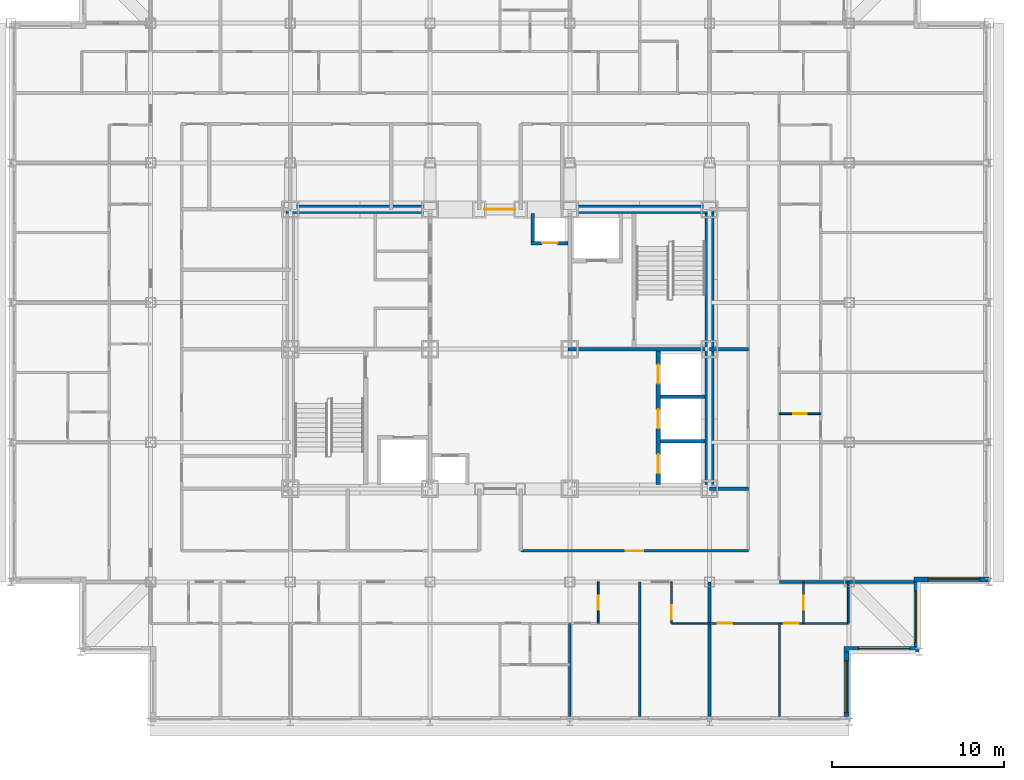
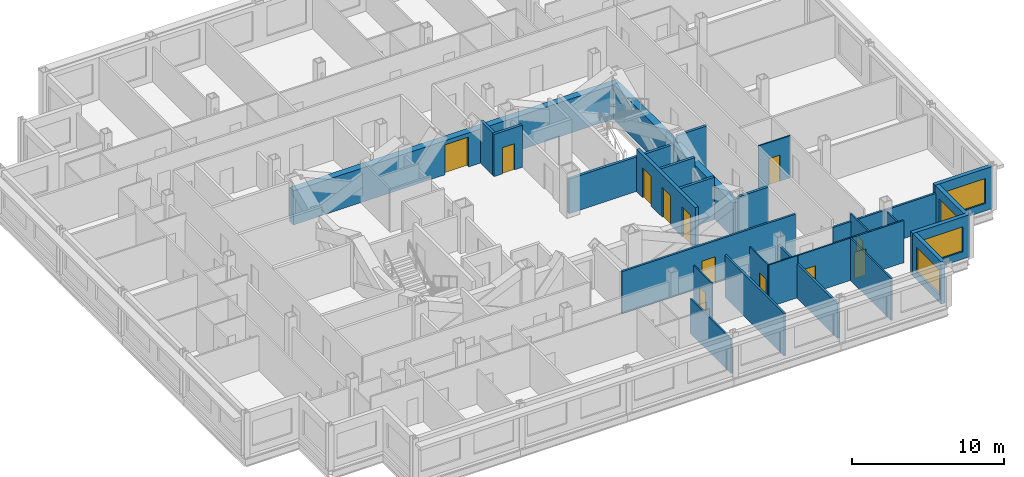
# One storey, part 7 of 12: 27 walls, 12 doors, 4 windows, 16 openings.
"""IFC4 building model written with IfcOpenShell, lengths in metres."""

from ifc_helpers import new_model, si_unit, direction, frame, frame_2d, origin, place, context, subcontext, project, spatial, rectangle, extrude, material, layer, layer_set, type_object, element, fill, save


model = new_model("IFC4")

# Units and contexts
model_context = context("Model", 3, precision=1e-05, world=origin(), true_north=direction((0.0, 1.0)))
body_context = subcontext(model_context, "Body", "Model", "MODEL_VIEW")
ifc_project = project(units=[si_unit("LENGTHUNIT", "METRE"), si_unit("AREAUNIT", "SQUARE_METRE"), si_unit("VOLUMEUNIT", "CUBIC_METRE"), si_unit("PLANEANGLEUNIT", "RADIAN"), si_unit("MASSUNIT", "GRAM", prefix="KILO")], contexts=[model_context])

# Site, building, storey
site_placement = place(None, origin())
site = spatial("IfcSite", under=ifc_project, at=site_placement, CompositionType="ELEMENT")
building_placement = place(site_placement, origin())
building = spatial("IfcBuilding", under=site, at=building_placement, Name="Kopane Lantern Tower", CompositionType="ELEMENT")
storey_placement = place(building_placement, frame((0.0, 0.0, 202.800048828125)))
storey = spatial("IfcBuildingStorey", under=building, at=storey_placement, Name="L52", CompositionType="ELEMENT", Elevation=202.800048828125)

# Wall
ifc_material_1 = material(Name="Gypsum board on steel studs", Category="steel")
ifc_layer_1 = layer(ifc_material_1, 0.1201171875)
ifc_layer_set_1 = layer_set([ifc_layer_1], Name="APARTMENT INTERNAL WALL 120")
wall_type_1 = type_object("IfcWallType", Name="APARTMENT INTERNAL WALL 120", PredefinedType="PARTITIONING", material=ifc_layer_set_1)
wall_1_placement = place(storey_placement, frame((32.39990234375, 16.5, 0.0), z_axis=(0.0, 0.0, 1.0), x_axis=(0.0, -1.0, 0.0)))
element("IfcWall", 1, at=wall_1_placement, inside=storey, type_object=wall_type_1, Name="Apartment Internal Wall 120 L52", PredefinedType="PARTITIONING", context=body_context, shape_type="SweptSolid", body=[
    extrude(rectangle(XDim=5.39990234375, YDim=0.1201171875, at=frame_2d((2.699951171875, 0.0))), origin(), (0.0, 0.0, 1.0), 2.77783203125),
])

# Wall, openings, doors
wall_2_placement = place(storey_placement, frame((40.5, 16.5, 0.0), z_axis=(0.0, 0.0, 1.0), x_axis=(1.0, 0.0, 0.0)))
wall_2 = element("IfcWall", 2, at=wall_2_placement, inside=storey, type_object=wall_type_1, Name="Apartment Internal Wall 120 L52", PredefinedType="PARTITIONING", context=body_context, shape_type="SweptSolid", body=[
    extrude(rectangle(XDim=8.050048828125, YDim=0.1201171875, at=frame_2d((4.02490234375, 0.0))), origin(), (0.0, 0.0, 1.0), 3.389892578125),
])
opening_1_placement = place(wall_2_placement, frame((0.47509765625, 0.0, 0.0)))
opening_1 = element("IfcOpeningElement", 3, at=opening_1_placement, cuts=wall_2, Name="Opening L52-067", PredefinedType="OPENING", context=body_context, shape_type="SweptSolid", body=[
    extrude(rectangle(XDim=0.85009765625, YDim=2.10009765625, at=frame_2d((0.425048828125, 1.050048828125))), frame((0.0, 0.070068359375, 0.0), z_axis=(0.0, -1.0, 0.0), x_axis=(1.0, 0.0, 0.0)), (0.0, 0.0, 1.0), 0.14013671875),
])
opening_2_placement = place(wall_2_placement, frame((4.324951171875, 0.0, 0.0)))
opening_2 = element("IfcOpeningElement", 4, at=opening_2_placement, cuts=wall_2, Name="Opening L52-069", PredefinedType="OPENING", context=body_context, shape_type="SweptSolid", body=[
    extrude(rectangle(XDim=0.85009765625, YDim=2.10009765625, at=frame_2d((0.425048828125, 1.050048828125))), frame((0.0, 0.070068359375, 0.0), z_axis=(0.0, -1.0, 0.0), x_axis=(1.0, 0.0, 0.0)), (0.0, 0.0, 1.0), 0.14013671875),
])
ifc_material_2 = material(Name="Timber door set", Category="wood")
door_type_1 = type_object("IfcDoorType", Name="DOOR D4 850x2100", OperationType="SINGLE_SWING_LEFT", PredefinedType="DOOR", material=ifc_material_2)
door_1_placement = place(opening_1_placement, origin())
door_1 = element("IfcDoor", 5, at=door_1_placement, inside=storey, type_object=door_type_1, Name="Door L52-067", OperationType="SINGLE_SWING_LEFT", OverallHeight=2.10009765625, OverallWidth=0.85009765625, PredefinedType="DOOR", context=body_context, shape_type="SweptSolid", body=[
    extrude(rectangle(XDim=0.85009765625, YDim=2.10009765625, at=frame_2d((0.425048828125, 1.050048828125))), frame((0.0, 0.02490234375, 0.0), z_axis=(0.0, -1.0, 0.0), x_axis=(1.0, 0.0, 0.0)), (0.0, 0.0, 1.0), 0.050048828125),
])
fill(opening_1, door_1)
door_2_placement = place(opening_2_placement, origin())
door_2 = element("IfcDoor", 6, at=door_2_placement, inside=storey, type_object=door_type_1, Name="Door L52-069", OperationType="SINGLE_SWING_RIGHT", OverallHeight=2.10009765625, OverallWidth=0.85009765625, PredefinedType="DOOR", context=body_context, shape_type="SweptSolid", body=[
    extrude(rectangle(XDim=0.85009765625, YDim=2.10009765625, at=frame_2d((0.425048828125, 1.050048828125))), frame((0.0, 0.02490234375, 0.0), z_axis=(0.0, -1.0, 0.0), x_axis=(1.0, 0.0, 0.0)), (0.0, 0.0, 1.0), 0.050048828125),
])
fill(opening_2, door_2)

# Wall
wall_3_placement = place(storey_placement, frame((44.550048828125, 16.5, 0.0), z_axis=(0.0, 0.0, 1.0), x_axis=(0.0, -1.0, 0.0)))
element("IfcWall", 7, at=wall_3_placement, inside=storey, type_object=wall_type_1, Name="Apartment Internal Wall 120 L52", PredefinedType="PARTITIONING", context=body_context, shape_type="SweptSolid", body=[
    extrude(rectangle(XDim=5.39990234375, YDim=0.1201171875, at=frame_2d((2.699951171875, 0.0))), origin(), (0.0, 0.0, 1.0), 3.389892578125),
])

# Wall, opening, door
ifc_material_3 = material(Name="Moisture-resistant board on steel studs", Category="steel")
ifc_layer_2 = layer(ifc_material_3, 0.10009765625)
ifc_layer_set_2 = layer_set([ifc_layer_2], Name="BATHROOM WALL 100")
wall_type_2 = type_object("IfcWallType", Name="BATHROOM WALL 100", PredefinedType="PARTITIONING", material=ifc_layer_set_2)
wall_4_placement = place(storey_placement, frame((34.050048828125, 18.89990234375, 0.0), z_axis=(0.0, 0.0, 1.0), x_axis=(0.0, -1.0, 0.0)))
wall_4 = element("IfcWall", 8, at=wall_4_placement, inside=storey, type_object=wall_type_2, Name="Bathroom Wall 100 L52", PredefinedType="PARTITIONING", context=body_context, shape_type="SweptSolid", body=[
    extrude(rectangle(XDim=2.39990234375, YDim=0.10009765625, at=frame_2d((1.199951171875, 0.0))), origin(), (0.0, 0.0, 1.0), 3.389892578125),
])
opening_3_placement = place(wall_4_placement, frame((0.800048828125, 0.0, 0.0)))
opening_3 = element("IfcOpeningElement", 9, at=opening_3_placement, cuts=wall_4, Name="Opening L52-021", PredefinedType="OPENING", context=body_context, shape_type="SweptSolid", body=[
    extrude(rectangle(XDim=0.800048828125, YDim=2.10009765625, at=frame_2d((0.39990234375, 1.050048828125))), frame((0.0, 0.06005859375, 0.0), z_axis=(0.0, -1.0, 0.0), x_axis=(1.0, 0.0, 0.0)), (0.0, 0.0, 1.0), 0.1201171875),
])
ifc_material_4 = material(Name="Timber door set", Category="wood")
door_type_2 = type_object("IfcDoorType", Name="DOOR D2 800x2100", OperationType="SINGLE_SWING_LEFT", PredefinedType="DOOR", material=ifc_material_4)
door_3_placement = place(opening_3_placement, origin())
door_3 = element("IfcDoor", 10, at=door_3_placement, inside=storey, type_object=door_type_2, Name="Door L52-021", OperationType="SINGLE_SWING_LEFT", OverallHeight=2.10009765625, OverallWidth=0.800048828125, PredefinedType="DOOR", context=body_context, shape_type="SweptSolid", body=[
    extrude(rectangle(XDim=0.800048828125, YDim=2.10009765625, at=frame_2d((0.39990234375, 1.050048828125))), frame((0.0, 0.02490234375, 0.0), z_axis=(0.0, -1.0, 0.0), x_axis=(1.0, 0.0, 0.0)), (0.0, 0.0, 1.0), 0.050048828125),
])
fill(opening_3, door_3)

# Wall
wall_5_placement = place(storey_placement, frame((38.300048828125, 16.5, 0.0), z_axis=(0.0, 0.0, 1.0), x_axis=(1.0, 0.0, 0.0)))
element("IfcWall", 11, at=wall_5_placement, inside=storey, type_object=wall_type_2, Name="Bathroom Wall 100 L52", PredefinedType="PARTITIONING", context=body_context, shape_type="SweptSolid", body=[
    extrude(rectangle(XDim=2.199951171875, YDim=0.10009765625, at=frame_2d((1.10009765625, 0.0))), origin(), (0.0, 0.0, 1.0), 3.389892578125),
])

# Wall, opening, door
wall_6_placement = place(storey_placement, frame((38.300048828125, 18.89990234375, 0.0), z_axis=(0.0, 0.0, 1.0), x_axis=(0.0, -1.0, 0.0)))
wall_6 = element("IfcWall", 12, at=wall_6_placement, inside=storey, type_object=wall_type_2, Name="Bathroom Wall 100 L52", PredefinedType="PARTITIONING", context=body_context, shape_type="SweptSolid", body=[
    extrude(rectangle(XDim=2.39990234375, YDim=0.10009765625, at=frame_2d((1.199951171875, 0.0))), origin(), (0.0, 0.0, 1.0), 3.389892578125),
])
opening_4_placement = place(wall_6_placement, frame((1.35009765625, 0.0, 0.0)))
opening_4 = element("IfcOpeningElement", 13, at=opening_4_placement, cuts=wall_6, Name="Opening L52-027", PredefinedType="OPENING", context=body_context, shape_type="SweptSolid", body=[
    extrude(rectangle(XDim=0.800048828125, YDim=2.10009765625, at=frame_2d((0.39990234375, 1.050048828125))), frame((0.0, 0.06005859375, 0.0), z_axis=(0.0, -1.0, 0.0), x_axis=(1.0, 0.0, 0.0)), (0.0, 0.0, 1.0), 0.1201171875),
])
door_4_placement = place(opening_4_placement, origin())
door_4 = element("IfcDoor", 14, at=door_4_placement, inside=storey, type_object=door_type_2, Name="Door L52-027", OperationType="SINGLE_SWING_RIGHT", OverallHeight=2.10009765625, OverallWidth=0.800048828125, PredefinedType="DOOR", context=body_context, shape_type="SweptSolid", body=[
    extrude(rectangle(XDim=0.800048828125, YDim=2.10009765625, at=frame_2d((0.39990234375, 1.050048828125))), frame((0.0, 0.02490234375, 0.0), z_axis=(0.0, -1.0, 0.0), x_axis=(1.0, 0.0, 0.0)), (0.0, 0.0, 1.0), 0.050048828125),
])
fill(opening_4, door_4)

wall_7_placement = place(storey_placement, frame((44.550048828125, 28.64990234375, 0.0), z_axis=(0.0, 0.0, 1.0), x_axis=(1.0, 0.0, 0.0)))
wall_7 = element("IfcWall", 15, at=wall_7_placement, inside=storey, type_object=wall_type_2, Name="Bathroom Wall 100 L52", PredefinedType="PARTITIONING", context=body_context, shape_type="SweptSolid", body=[
    extrude(rectangle(XDim=2.39990234375, YDim=0.10009765625, at=frame_2d((1.199951171875, 0.0))), origin(), (0.0, 0.0, 1.0), 3.389892578125),
])
opening_5_placement = place(wall_7_placement, frame((0.800048828125, 0.0, 0.0)))
opening_5 = element("IfcOpeningElement", 16, at=opening_5_placement, cuts=wall_7, Name="Opening L52-053", PredefinedType="OPENING", context=body_context, shape_type="SweptSolid", body=[
    extrude(rectangle(XDim=0.800048828125, YDim=2.10009765625, at=frame_2d((0.39990234375, 1.050048828125))), frame((0.0, 0.06005859375, 0.0), z_axis=(0.0, -1.0, 0.0), x_axis=(1.0, 0.0, 0.0)), (0.0, 0.0, 1.0), 0.1201171875),
])
door_5_placement = place(opening_5_placement, origin())
door_5 = element("IfcDoor", 17, at=door_5_placement, inside=storey, type_object=door_type_2, Name="Door L52-053", OperationType="SINGLE_SWING_LEFT", OverallHeight=2.10009765625, OverallWidth=0.800048828125, PredefinedType="DOOR", context=body_context, shape_type="SweptSolid", body=[
    extrude(rectangle(XDim=0.800048828125, YDim=2.10009765625, at=frame_2d((0.39990234375, 1.050048828125))), frame((0.0, 0.02490234375, 0.0), z_axis=(0.0, -1.0, 0.0), x_axis=(1.0, 0.0, 0.0)), (0.0, 0.0, 1.0), 0.050048828125),
])
fill(opening_5, door_5)

wall_8_placement = place(storey_placement, frame((45.949951171875, 18.89990234375, 0.0), z_axis=(0.0, 0.0, 1.0), x_axis=(0.0, -1.0, 0.0)))
wall_8 = element("IfcWall", 18, at=wall_8_placement, inside=storey, type_object=wall_type_2, Name="Bathroom Wall 100 L52", PredefinedType="PARTITIONING", context=body_context, shape_type="SweptSolid", body=[
    extrude(rectangle(XDim=2.39990234375, YDim=0.10009765625, at=frame_2d((1.199951171875, 0.0))), origin(), (0.0, 0.0, 1.0), 3.389892578125),
])
opening_6_placement = place(wall_8_placement, frame((0.800048828125, 0.0, 0.0)))
opening_6 = element("IfcOpeningElement", 19, at=opening_6_placement, cuts=wall_8, Name="Opening L52-068", PredefinedType="OPENING", context=body_context, shape_type="SweptSolid", body=[
    extrude(rectangle(XDim=0.800048828125, YDim=2.10009765625, at=frame_2d((0.39990234375, 1.050048828125))), frame((0.0, 0.06005859375, 0.0), z_axis=(0.0, -1.0, 0.0), x_axis=(1.0, 0.0, 0.0)), (0.0, 0.0, 1.0), 0.1201171875),
])
door_6_placement = place(opening_6_placement, origin())
door_6 = element("IfcDoor", 20, at=door_6_placement, inside=storey, type_object=door_type_2, Name="Door L52-068", OperationType="SINGLE_SWING_LEFT", OverallHeight=2.10009765625, OverallWidth=0.800048828125, PredefinedType="DOOR", context=body_context, shape_type="SweptSolid", body=[
    extrude(rectangle(XDim=0.800048828125, YDim=2.10009765625, at=frame_2d((0.39990234375, 1.050048828125))), frame((0.0, 0.02490234375, 0.0), z_axis=(0.0, -1.0, 0.0), x_axis=(1.0, 0.0, 0.0)), (0.0, 0.0, 1.0), 0.050048828125),
])
fill(opening_6, door_6)

# Wall
wall_9_placement = place(storey_placement, frame((48.550048828125, 18.89990234375, 0.0), z_axis=(0.0, 0.0, 1.0), x_axis=(0.0, -1.0, 0.0)))
element("IfcWall", 21, at=wall_9_placement, inside=storey, type_object=wall_type_2, Name="Bathroom Wall 100 L52", PredefinedType="PARTITIONING", context=body_context, shape_type="SweptSolid", body=[
    extrude(rectangle(XDim=2.39990234375, YDim=0.10009765625, at=frame_2d((1.199951171875, 0.0))), origin(), (0.0, 0.0, 1.0), 2.77783203125),
])

# Wall, opening, door
ifc_material_5 = material(Name="Gypsum shaft wall EI 120", Category="gypsum")
ifc_layer_3 = layer(ifc_material_5, 0.5)
ifc_layer_set_3 = layer_set([ifc_layer_3], Name="CORE PERIMETER WALL 500 EI 120")
wall_type_3 = type_object("IfcWallType", Name="CORE PERIMETER WALL 500 EI 120", PredefinedType="SOLIDWALL", material=ifc_layer_set_3)
wall_10_placement = place(storey_placement, frame((15.949951171875, 40.5, 0.0), z_axis=(0.0, 0.0, 1.0), x_axis=(1.0, 0.0, 0.0)))
wall_10 = element("IfcWall", 22, at=wall_10_placement, inside=storey, type_object=wall_type_3, Name="Core shaft wall L52 PN", PredefinedType="SOLIDWALL", context=body_context, shape_type="SweptSolid", body=[
    extrude(rectangle(XDim=24.800048828125, YDim=0.5, at=frame_2d((12.39990234375, 0.0))), origin(), (0.0, 0.0, 1.0), 2.739990234375),
])
opening_7_placement = place(wall_10_placement, frame((11.5, 0.0, 0.0)))
opening_7 = element("IfcOpeningElement", 23, at=opening_7_placement, cuts=wall_10, Name="Opening 52.CE-N", PredefinedType="OPENING", context=body_context, shape_type="SweptSolid", body=[
    extrude(rectangle(XDim=1.800048828125, YDim=2.39990234375, at=frame_2d((0.89990234375, 1.199951171875))), frame((0.0, 0.260009765625, 0.0), z_axis=(0.0, -1.0, 0.0), x_axis=(1.0, 0.0, 0.0)), (0.0, 0.0, 1.0), 0.52001953125),
])
ifc_material_6 = material(Name="Steel door set", Category="steel")
door_type_3 = type_object("IfcDoorType", Name="CORE ENTRY DOOR 1800x2400 FD60S", OperationType="DOUBLE_DOOR_SINGLE_SWING", PredefinedType="DOOR", material=ifc_material_6)
door_7_placement = place(opening_7_placement, origin())
door_7 = element("IfcDoor", 24, at=door_7_placement, inside=storey, type_object=door_type_3, Name="Core entry door L52 north", OperationType="DOUBLE_DOOR_SINGLE_SWING", OverallHeight=2.39990234375, OverallWidth=1.800048828125, PredefinedType="DOOR", context=body_context, shape_type="SweptSolid", body=[
    extrude(rectangle(XDim=1.800048828125, YDim=2.39990234375, at=frame_2d((0.89990234375, 1.199951171875))), frame((0.0, 0.02490234375, 0.0), z_axis=(0.0, -1.0, 0.0), x_axis=(1.0, 0.0, 0.0)), (0.0, 0.0, 1.0), 0.050048828125),
])
fill(opening_7, door_7)

# Wall
wall_11_placement = place(storey_placement, frame((40.5, 24.550048828125, 0.0), z_axis=(0.0, 0.0, 1.0), x_axis=(0.0, 1.0, 0.0)))
element("IfcWall", 25, at=wall_11_placement, inside=storey, type_object=wall_type_3, Name="Core shaft wall L52 PE", PredefinedType="SOLIDWALL", context=body_context, shape_type="SweptSolid", body=[
    extrude(rectangle(XDim=15.699951171875, YDim=0.5, at=frame_2d((7.85009765625, 0.0))), origin(), (0.0, 0.0, 1.0), 2.77783203125),
])

# Wall, openings, doors
ifc_material_7 = material(Name="Gypsum shaft wall EI 120", Category="gypsum")
ifc_layer_4 = layer(ifc_material_7, 0.25)
ifc_layer_set_4 = layer_set([ifc_layer_4], Name="CORE SHAFT WALL 250 EI 120")
wall_type_4 = type_object("IfcWallType", Name="CORE SHAFT WALL 250 EI 120", PredefinedType="SOLIDWALL", material=ifc_layer_set_4)
wall_12_placement = place(storey_placement, frame((37.52490234375, 24.550048828125, 0.0), z_axis=(0.0, 0.0, 1.0), x_axis=(0.0, 1.0, 0.0)))
wall_12 = element("IfcWall", 26, at=wall_12_placement, inside=storey, type_object=wall_type_4, Name="Core shaft wall L52 XLR", PredefinedType="SOLIDWALL", context=body_context, shape_type="SweptSolid", body=[
    extrude(rectangle(XDim=7.75, YDim=0.25, at=frame_2d((3.875, 0.0))), origin(), (0.0, 0.0, 1.0), 3.389892578125),
])
opening_8_placement = place(wall_12_placement, frame((0.64990234375, 0.0, 0.0)))
opening_8 = element("IfcOpeningElement", 27, at=opening_8_placement, cuts=wall_12, Name="Opening 52.LD-LR1", PredefinedType="OPENING", context=body_context, shape_type="SweptSolid", body=[
    extrude(rectangle(XDim=1.10009765625, YDim=2.39990234375, at=frame_2d((0.550048828125, 1.199951171875))), frame((0.0, 0.135009765625, 0.0), z_axis=(0.0, -1.0, 0.0), x_axis=(1.0, 0.0, 0.0)), (0.0, 0.0, 1.0), 0.27001953125),
])
opening_9_placement = place(wall_12_placement, frame((3.25, 0.0, 0.0)))
opening_9 = element("IfcOpeningElement", 28, at=opening_9_placement, cuts=wall_12, Name="Opening 52.LD-LR2", PredefinedType="OPENING", context=body_context, shape_type="SweptSolid", body=[
    extrude(rectangle(XDim=1.10009765625, YDim=2.39990234375, at=frame_2d((0.550048828125, 1.199951171875))), frame((0.0, 0.135009765625, 0.0), z_axis=(0.0, -1.0, 0.0), x_axis=(1.0, 0.0, 0.0)), (0.0, 0.0, 1.0), 0.27001953125),
])
opening_10_placement = place(wall_12_placement, frame((5.85009765625, 0.0, 0.0)))
opening_10 = element("IfcOpeningElement", 29, at=opening_10_placement, cuts=wall_12, Name="Opening 52.LD-LR3", PredefinedType="OPENING", context=body_context, shape_type="SweptSolid", body=[
    extrude(rectangle(XDim=1.10009765625, YDim=2.39990234375, at=frame_2d((0.550048828125, 1.199951171875))), frame((0.0, 0.135009765625, 0.0), z_axis=(0.0, -1.0, 0.0), x_axis=(1.0, 0.0, 0.0)), (0.0, 0.0, 1.0), 0.27001953125),
])
ifc_material_8 = material(Name="Steel door set", Category="steel")
door_type_4 = type_object("IfcDoorType", Name="LIFT LANDING DOOR 1100x2400 FD60", OperationType="DOUBLE_DOOR_SLIDING", PredefinedType="DOOR", material=ifc_material_8)
door_8_placement = place(opening_8_placement, origin())
door_8 = element("IfcDoor", 30, at=door_8_placement, inside=storey, type_object=door_type_4, Name="Landing door LR1 L52", OperationType="DOUBLE_DOOR_SLIDING", OverallHeight=2.39990234375, OverallWidth=1.10009765625, PredefinedType="DOOR", context=body_context, shape_type="SweptSolid", body=[
    extrude(rectangle(XDim=1.10009765625, YDim=2.39990234375, at=frame_2d((0.550048828125, 1.199951171875))), frame((0.0, 0.02490234375, 0.0), z_axis=(0.0, -1.0, 0.0), x_axis=(1.0, 0.0, 0.0)), (0.0, 0.0, 1.0), 0.050048828125),
])
fill(opening_8, door_8)
door_9_placement = place(opening_9_placement, origin())
door_9 = element("IfcDoor", 31, at=door_9_placement, inside=storey, type_object=door_type_4, Name="Landing door LR2 L52", OperationType="DOUBLE_DOOR_SLIDING", OverallHeight=2.39990234375, OverallWidth=1.10009765625, PredefinedType="DOOR", context=body_context, shape_type="SweptSolid", body=[
    extrude(rectangle(XDim=1.10009765625, YDim=2.39990234375, at=frame_2d((0.550048828125, 1.199951171875))), frame((0.0, 0.02490234375, 0.0), z_axis=(0.0, -1.0, 0.0), x_axis=(1.0, 0.0, 0.0)), (0.0, 0.0, 1.0), 0.050048828125),
])
fill(opening_9, door_9)
door_10_placement = place(opening_10_placement, origin())
door_10 = element("IfcDoor", 32, at=door_10_placement, inside=storey, type_object=door_type_4, Name="Landing door LR3 L52", OperationType="DOUBLE_DOOR_SLIDING", OverallHeight=2.39990234375, OverallWidth=1.10009765625, PredefinedType="DOOR", context=body_context, shape_type="SweptSolid", body=[
    extrude(rectangle(XDim=1.10009765625, YDim=2.39990234375, at=frame_2d((0.550048828125, 1.199951171875))), frame((0.0, 0.02490234375, 0.0), z_axis=(0.0, -1.0, 0.0), x_axis=(1.0, 0.0, 0.0)), (0.0, 0.0, 1.0), 0.050048828125),
])
fill(opening_10, door_10)

# Wall, opening, door
ifc_material_9 = material(Name="Gypsum board on steel studs", Category="steel")
ifc_layer_5 = layer(ifc_material_9, 0.14990234375)
ifc_layer_set_5 = layer_set([ifc_layer_5], Name="CORRIDOR WALL 150 EI 60")
wall_type_5 = type_object("IfcWallType", Name="CORRIDOR WALL 150 EI 60", PredefinedType="PARTITIONING", material=ifc_layer_set_5)
wall_13_placement = place(storey_placement, frame((29.56005859375, 20.699951171875, 0.0), z_axis=(0.0, 0.0, 1.0), x_axis=(1.0, 0.0, 0.0)))
wall_13 = element("IfcWall", 33, at=wall_13_placement, inside=storey, type_object=wall_type_5, Name="Corridor Wall 150 Ei 60 L52", PredefinedType="PARTITIONING", context=body_context, shape_type="SweptSolid", body=[
    extrude(rectangle(XDim=13.18994140625, YDim=0.14990234375, at=frame_2d((6.594970703125, 0.0))), origin(), (0.0, 0.0, 1.0), 3.389892578125),
])
opening_11_placement = place(wall_13_placement, frame((6.090087890625, 0.0, 0.0)))
opening_11 = element("IfcOpeningElement", 34, at=opening_11_placement, cuts=wall_13, Name="Opening L52-010", PredefinedType="OPENING", context=body_context, shape_type="SweptSolid", body=[
    extrude(rectangle(XDim=1.0, YDim=2.10009765625, at=frame_2d((0.5, 1.050048828125))), frame((0.0, 0.0849609375, 0.0), z_axis=(0.0, -1.0, 0.0), x_axis=(1.0, 0.0, 0.0)), (0.0, 0.0, 1.0), 0.169921875),
])
ifc_material_10 = material(Name="Steel door set", Category="steel")
door_type_5 = type_object("IfcDoorType", Name="DOOR D5 1000x2100 FD60", OperationType="SINGLE_SWING_LEFT", PredefinedType="DOOR", material=ifc_material_10)
door_11_placement = place(opening_11_placement, origin())
door_11 = element("IfcDoor", 35, at=door_11_placement, inside=storey, type_object=door_type_5, Name="Door L52-010", OperationType="SINGLE_SWING_LEFT", OverallHeight=2.10009765625, OverallWidth=1.0, PredefinedType="DOOR", context=body_context, shape_type="SweptSolid", body=[
    extrude(rectangle(XDim=1.0, YDim=2.10009765625, at=frame_2d((0.5, 1.050048828125))), frame((0.0, 0.02490234375, 0.0), z_axis=(0.0, -1.0, 0.0), x_axis=(1.0, 0.0, 0.0)), (0.0, 0.0, 1.0), 0.050048828125),
])
fill(opening_11, door_11)

# Walls
ifc_material_11 = material(Name="Gypsum board on steel studs", Category="steel")
ifc_layer_6 = layer(ifc_material_11, 0.14990234375)
ifc_layer_set_6 = layer_set([ifc_layer_6], Name="DEMISING WALL 150 EI 60")
wall_type_6 = type_object("IfcWallType", Name="DEMISING WALL 150 EI 60", PredefinedType="PARTITIONING", material=ifc_layer_set_6)
wall_14_placement = place(storey_placement, frame((36.449951171875, 18.89990234375, 0.0), z_axis=(0.0, 0.0, 1.0), x_axis=(0.0, -1.0, 0.0)))
element("IfcWall", 36, at=wall_14_placement, inside=storey, type_object=wall_type_6, Name="Demising Wall 150 Ei 60 L52", PredefinedType="PARTITIONING", context=body_context, shape_type="SweptSolid", body=[
    extrude(rectangle(XDim=7.7998046875, YDim=0.14990234375, at=frame_2d((3.89990234375, 0.0))), origin(), (0.0, 0.0, 1.0), 3.389892578125),
])
wall_15_placement = place(storey_placement, frame((44.550048828125, 18.89990234375, 0.0), z_axis=(0.0, 0.0, 1.0), x_axis=(1.0, 0.0, 0.0)))
element("IfcWall", 37, at=wall_15_placement, inside=storey, type_object=wall_type_6, Name="Demising Wall 150 Ei 60 L52", PredefinedType="PARTITIONING", context=body_context, shape_type="SweptSolid", body=[
    extrude(rectangle(XDim=7.800048828125, YDim=0.14990234375, at=frame_2d((3.89990234375, 0.0))), origin(), (0.0, 0.0, 1.0), 2.77783203125),
])
wall_16_placement = place(storey_placement, frame((40.5, 18.89990234375, 0.0), z_axis=(0.0, 0.0, 1.0), x_axis=(0.0, -1.0, 0.0)))
element("IfcWall", 38, at=wall_16_placement, inside=storey, type_object=wall_type_6, Name="Demising Wall 150 Ei 60 L52", PredefinedType="PARTITIONING", context=body_context, shape_type="SweptSolid", body=[
    extrude(rectangle(XDim=7.7998046875, YDim=0.14990234375, at=frame_2d((3.89990234375, 0.0))), origin(), (0.0, 0.0, 1.0), 2.77783203125),
])

# Wall, opening, window
ifc_material_12 = material(Name="Terracotta rainscreen on light steel framing", Category="masonry")
ifc_layer_7 = layer(ifc_material_12, 0.300048828125)
ifc_layer_set_7 = layer_set([ifc_layer_7], Name="EXTERNAL WALL EW1 300 TERRACOTTA")
wall_type_7 = type_object("IfcWallType", Name="EXTERNAL WALL EW1 300 TERRACOTTA", PredefinedType="SOLIDWALL", material=ifc_layer_set_7)
wall_17_placement = place(storey_placement, frame((48.449951171875, 11.10009765625, 0.0), z_axis=(0.0, 0.0, 1.0), x_axis=(0.0, 1.0, 0.0)))
wall_17 = element("IfcWall", 39, at=wall_17_placement, inside=storey, type_object=wall_type_7, Name="External wall E L52", PredefinedType="SOLIDWALL", context=body_context, shape_type="SweptSolid", body=[
    extrude(rectangle(XDim=3.75, YDim=0.300048828125, at=frame_2d((1.875, 0.0))), origin(), (0.0, 0.0, 1.0), 3.389892578125),
])
opening_12_placement = place(wall_17_placement, frame((0.22509765625, 0.0, 0.60009765625)))
opening_12 = element("IfcOpeningElement", 40, at=opening_12_placement, cuts=wall_17, Name="Opening WR300200", PredefinedType="OPENING", context=body_context, shape_type="SweptSolid", body=[
    extrude(rectangle(XDim=3.0, YDim=2.0, at=frame_2d((1.5, 1.0))), frame((0.0, 0.159912109375, 0.0), z_axis=(0.0, -1.0, 0.0), x_axis=(1.0, 0.0, 0.0)), (0.0, 0.0, 1.0), 0.320068359375),
])
ifc_material_13 = material(Name="Aluminium and clear glass", Category="aluminium")
window_type = type_object("IfcWindowType", Name="RIBBON WINDOW WR300200 3000x2000", PartitioningType="SINGLE_PANEL", PredefinedType="WINDOW", material=ifc_material_13)
window_1_placement = place(opening_12_placement, origin())
window_1 = element("IfcWindow", 41, at=window_1_placement, inside=storey, type_object=window_type, Name="Window E L52", OverallHeight=2.0, OverallWidth=3.0, PartitioningType="SINGLE_PANEL", PredefinedType="WINDOW", context=body_context, shape_type="SweptSolid", body=[
    extrude(rectangle(XDim=3.0, YDim=2.0, at=frame_2d((1.5, 1.0))), frame((0.0, 0.030029296875, 0.0), z_axis=(0.0, -1.0, 0.0), x_axis=(1.0, 0.0, 0.0)), (0.0, 0.0, 1.0), 0.06005859375),
])
fill(opening_12, window_1)

wall_18_placement = place(storey_placement, frame((48.300048828125, 15.0, 0.0), z_axis=(0.0, 0.0, 1.0), x_axis=(1.0, 0.0, 0.0)))
wall_18 = element("IfcWall", 42, at=wall_18_placement, inside=storey, type_object=wall_type_7, Name="External wall S L52", PredefinedType="SOLIDWALL", context=body_context, shape_type="SweptSolid", body=[
    extrude(rectangle(XDim=4.349853515625, YDim=0.300048828125, at=frame_2d((2.1748046875, 0.0))), origin(), (0.0, 0.0, 1.0), 3.389892578125),
])
opening_13_placement = place(wall_18_placement, frame((0.824951171875, 0.0, 0.60009765625)))
opening_13 = element("IfcOpeningElement", 43, at=opening_13_placement, cuts=wall_18, Name="Opening WR300200", PredefinedType="OPENING", context=body_context, shape_type="SweptSolid", body=[
    extrude(rectangle(XDim=3.0, YDim=2.0, at=frame_2d((1.5, 1.0))), frame((0.0, 0.159912109375, 0.0), z_axis=(0.0, -1.0, 0.0), x_axis=(1.0, 0.0, 0.0)), (0.0, 0.0, 1.0), 0.320068359375),
])
window_2_placement = place(opening_13_placement, origin())
window_2 = element("IfcWindow", 44, at=window_2_placement, inside=storey, type_object=window_type, Name="Window S L52", OverallHeight=2.0, OverallWidth=3.0, PartitioningType="SINGLE_PANEL", PredefinedType="WINDOW", context=body_context, shape_type="SweptSolid", body=[
    extrude(rectangle(XDim=3.0, YDim=2.0, at=frame_2d((1.5, 1.0))), frame((0.0, 0.030029296875, 0.0), z_axis=(0.0, -1.0, 0.0), x_axis=(1.0, 0.0, 0.0)), (0.0, 0.0, 1.0), 0.06005859375),
])
fill(opening_13, window_2)

wall_19_placement = place(storey_placement, frame((52.5, 15.14990234375, 0.0), z_axis=(0.0, 0.0, 1.0), x_axis=(0.0, 1.0, 0.0)))
wall_19 = element("IfcWall", 45, at=wall_19_placement, inside=storey, type_object=wall_type_7, Name="External wall E L52", PredefinedType="SOLIDWALL", context=body_context, shape_type="SweptSolid", body=[
    extrude(rectangle(XDim=3.75, YDim=0.300048828125, at=frame_2d((1.875, 0.0))), origin(), (0.0, 0.0, 1.0), 3.389892578125),
])
opening_14_placement = place(wall_19_placement, frame((0.22509765625, 0.0, 0.60009765625)))
opening_14 = element("IfcOpeningElement", 46, at=opening_14_placement, cuts=wall_19, Name="Opening WR300200", PredefinedType="OPENING", context=body_context, shape_type="SweptSolid", body=[
    extrude(rectangle(XDim=3.0, YDim=2.0, at=frame_2d((1.5, 1.0))), frame((0.0, 0.159912109375, 0.0), z_axis=(0.0, -1.0, 0.0), x_axis=(1.0, 0.0, 0.0)), (0.0, 0.0, 1.0), 0.320068359375),
])
window_3_placement = place(opening_14_placement, origin())
window_3 = element("IfcWindow", 47, at=window_3_placement, inside=storey, type_object=window_type, Name="Window E L52", OverallHeight=2.0, OverallWidth=3.0, PartitioningType="SINGLE_PANEL", PredefinedType="WINDOW", context=body_context, shape_type="SweptSolid", body=[
    extrude(rectangle(XDim=3.0, YDim=2.0, at=frame_2d((1.5, 1.0))), frame((0.0, 0.030029296875, 0.0), z_axis=(0.0, -1.0, 0.0), x_axis=(1.0, 0.0, 0.0)), (0.0, 0.0, 1.0), 0.06005859375),
])
fill(opening_14, window_3)

wall_20_placement = place(storey_placement, frame((52.35009765625, 19.050048828125, 0.0), z_axis=(0.0, 0.0, 1.0), x_axis=(1.0, 0.0, 0.0)))
wall_20 = element("IfcWall", 48, at=wall_20_placement, inside=storey, type_object=wall_type_7, Name="External wall S L52", PredefinedType="SOLIDWALL", context=body_context, shape_type="SweptSolid", body=[
    extrude(rectangle(XDim=4.349853515625, YDim=0.300048828125, at=frame_2d((2.1748046875, 0.0))), origin(), (0.0, 0.0, 1.0), 3.389892578125),
])
opening_15_placement = place(wall_20_placement, frame((0.824951171875, 0.0, 0.60009765625)))
opening_15 = element("IfcOpeningElement", 49, at=opening_15_placement, cuts=wall_20, Name="Opening WR300200", PredefinedType="OPENING", context=body_context, shape_type="SweptSolid", body=[
    extrude(rectangle(XDim=3.0, YDim=2.0, at=frame_2d((1.5, 1.0))), frame((0.0, 0.159912109375, 0.0), z_axis=(0.0, -1.0, 0.0), x_axis=(1.0, 0.0, 0.0)), (0.0, 0.0, 1.0), 0.320068359375),
])
window_4_placement = place(opening_15_placement, origin())
window_4 = element("IfcWindow", 50, at=window_4_placement, inside=storey, type_object=window_type, Name="Window S L52", OverallHeight=2.0, OverallWidth=3.0, PartitioningType="SINGLE_PANEL", PredefinedType="WINDOW", context=body_context, shape_type="SweptSolid", body=[
    extrude(rectangle(XDim=3.0, YDim=2.0, at=frame_2d((1.5, 1.0))), frame((0.0, 0.030029296875, 0.0), z_axis=(0.0, -1.0, 0.0), x_axis=(1.0, 0.0, 0.0)), (0.0, 0.0, 1.0), 0.06005859375),
])
fill(opening_15, window_4)

# Walls
ifc_material_14 = material(Name="Concrete masonry", Category="masonry")
ifc_layer_8 = layer(ifc_material_14, 0.199951171875)
ifc_layer_set_8 = layer_set([ifc_layer_8], Name="PLANT ROOM WALL 200 EI 120")
wall_type_8 = type_object("IfcWallType", Name="PLANT ROOM WALL 200 EI 120", PredefinedType="SOLIDWALL", material=ifc_layer_set_8)
for number, where, z_axis, x_axis, name in (
    (51, (40.5, 32.39990234375, 0.0), (0.0, 0.0, 1.0), (1.0, 0.0, 0.0), "Plant Room Wall 200 Ei 120 L52"),
    (52, (40.5, 24.300048828125, 0.0), (0.0, 0.0, 1.0), (1.0, 0.0, 0.0), "Plant Room Wall 200 Ei 120 L52"),
):
    element("IfcWall", number, at=place(storey_placement, frame(where, z_axis=z_axis, x_axis=x_axis)), inside=storey, type_object=wall_type_8, Name=name, PredefinedType="SOLIDWALL", context=body_context, shape_type="SweptSolid", body=[
        extrude(rectangle(XDim=2.25, YDim=0.199951171875, at=frame_2d((1.125, 0.0))), origin(), (0.0, 0.0, 1.0), 3.389892578125),
    ])
ifc_material_15 = material(Name="Gypsum shaft wall EI 120", Category="gypsum")
ifc_layer_9 = layer(ifc_material_15, 0.199951171875)
ifc_layer_set_9 = layer_set([ifc_layer_9], Name="SHAFT WALL 200 EI 120")
wall_type_9 = type_object("IfcWallType", Name="SHAFT WALL 200 EI 120", PredefinedType="SOLIDWALL", material=ifc_layer_set_9)
wall_21_placement = place(storey_placement, frame((32.300048828125, 32.39990234375, 0.0), z_axis=(0.0, 0.0, 1.0), x_axis=(1.0, 0.0, 0.0)))
element("IfcWall", 53, at=wall_21_placement, inside=storey, type_object=wall_type_9, Name="Core shaft wall L52 Y324E", PredefinedType="SOLIDWALL", context=body_context, shape_type="SweptSolid", body=[
    extrude(rectangle(XDim=7.949951171875, YDim=0.199951171875, at=frame_2d((3.97509765625, 0.0))), origin(), (0.0, 0.0, 1.0), 2.77783203125),
])
for number, where, z_axis, x_axis, name in (
    (54, (37.64990234375, 27.050048828125, 0.0), (0.0, 0.0, 1.0), (1.0, 0.0, 0.0), "Core shaft wall L52 YLR12"),
    (55, (37.64990234375, 29.64990234375, 0.0), (0.0, 0.0, 1.0), (1.0, 0.0, 0.0), "Core shaft wall L52 YLR23"),
):
    element("IfcWall", number, at=place(storey_placement, frame(where, z_axis=z_axis, x_axis=x_axis)), inside=storey, type_object=wall_type_9, Name=name, PredefinedType="SOLIDWALL", context=body_context, shape_type="SweptSolid", body=[
        extrude(rectangle(XDim=2.60009765625, YDim=0.199951171875, at=frame_2d((1.300048828125, 0.0))), origin(), (0.0, 0.0, 1.0), 3.389892578125),
    ])
wall_22_placement = place(storey_placement, frame((30.25, 38.64990234375, 0.0), z_axis=(0.0, 0.0, 1.0), x_axis=(0.0, 1.0, 0.0)))
element("IfcWall", 56, at=wall_22_placement, inside=storey, type_object=wall_type_9, Name="Core shaft wall L52 XRS2", PredefinedType="SOLIDWALL", context=body_context, shape_type="SweptSolid", body=[
    extrude(rectangle(XDim=1.60009765625, YDim=0.199951171875, at=frame_2d((0.800048828125, 0.0))), origin(), (0.0, 0.0, 1.0), 3.389892578125),
])

# Wall, opening, door
wall_23_placement = place(storey_placement, frame((30.14990234375, 38.550048828125, 0.0), z_axis=(0.0, 0.0, 1.0), x_axis=(1.0, 0.0, 0.0)))
wall_23 = element("IfcWall", 57, at=wall_23_placement, inside=storey, type_object=wall_type_9, Name="Core shaft wall L52 YRS2", PredefinedType="SOLIDWALL", context=body_context, shape_type="SweptSolid", body=[
    extrude(rectangle(XDim=2.150146484375, YDim=0.199951171875, at=frame_2d((1.0751953125, 0.0))), origin(), (0.0, 0.0, 1.0), 3.389892578125),
])
opening_16_placement = place(wall_23_placement, frame((0.64990234375, 0.0, 0.0)))
opening_16 = element("IfcOpeningElement", 58, at=opening_16_placement, cuts=wall_23, Name="Opening 52.RS2", PredefinedType="OPENING", context=body_context, shape_type="SweptSolid", body=[
    extrude(rectangle(XDim=0.89990234375, YDim=2.10009765625, at=frame_2d((0.449951171875, 1.050048828125))), frame((0.0, 0.10986328125, 0.0), z_axis=(0.0, -1.0, 0.0), x_axis=(1.0, 0.0, 0.0)), (0.0, 0.0, 1.0), 0.219970703125),
])
ifc_material_16 = material(Name="Steel door set", Category="steel")
door_type_6 = type_object("IfcDoorType", Name="RISER ACCESS DOOR 900x2100 FD60", OperationType="SINGLE_SWING_LEFT", PredefinedType="DOOR", material=ifc_material_16)
door_12_placement = place(opening_16_placement, origin())
door_12 = element("IfcDoor", 59, at=door_12_placement, inside=storey, type_object=door_type_6, Name="Riser access door RS2 L52", OperationType="SINGLE_SWING_LEFT", OverallHeight=2.10009765625, OverallWidth=0.89990234375, PredefinedType="DOOR", context=body_context, shape_type="SweptSolid", body=[
    extrude(rectangle(XDim=0.89990234375, YDim=2.10009765625, at=frame_2d((0.449951171875, 1.050048828125))), frame((0.0, 0.02490234375, 0.0), z_axis=(0.0, -1.0, 0.0), x_axis=(1.0, 0.0, 0.0)), (0.0, 0.0, 1.0), 0.050048828125),
])
fill(opening_16, door_12)

save(model, "model.ifc")
